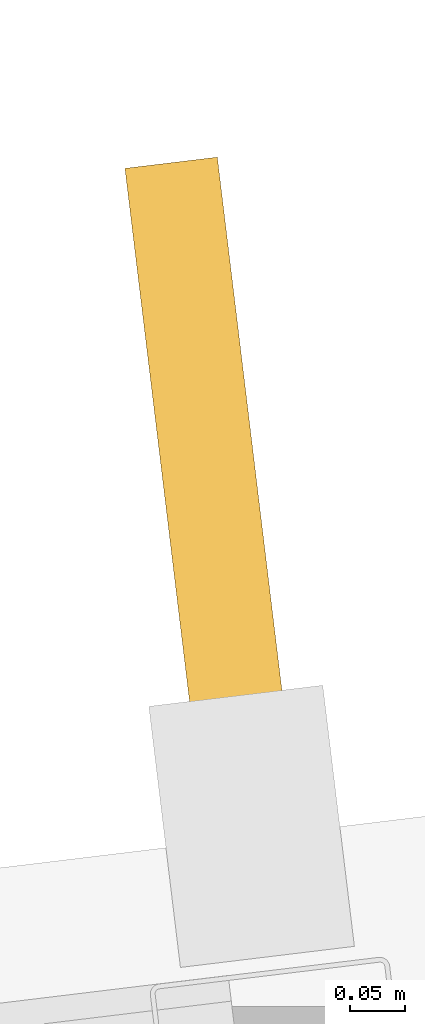
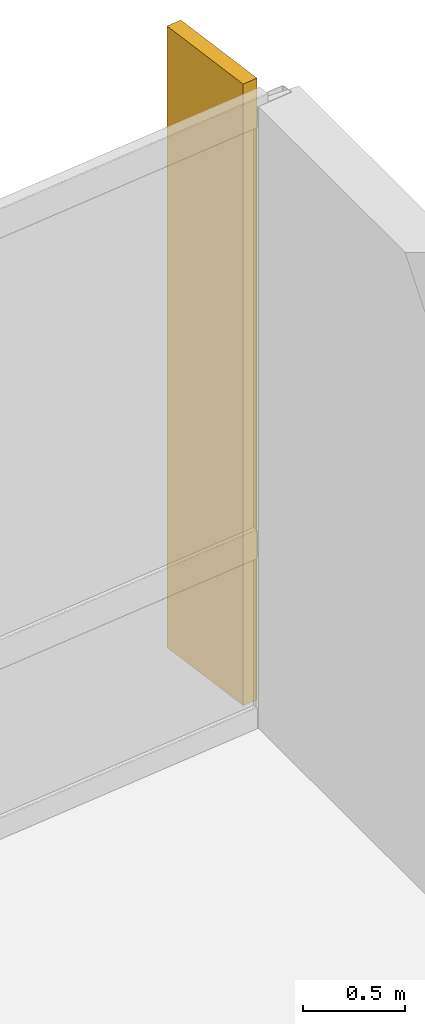
# One storey, part 18 of 18: 1 shading device.
"""IFC4 building model written with IfcOpenShell, lengths in metres."""

from ifc_helpers import new_model, si_unit, direction, frame, origin, origin_2d, place, context, subcontext, project, spatial, rectangle, extrude, material, layer, layer_set, type_object, element, save


model = new_model("IFC4")

# Units and contexts
model_context = context("Model", 3, precision=1e-05, world=origin(), true_north=direction((0.0, 1.0)))
body_context = subcontext(model_context, "Body", "Model", "MODEL_VIEW")
ifc_project = project(units=[si_unit("LENGTHUNIT", "METRE"), si_unit("AREAUNIT", "SQUARE_METRE"), si_unit("VOLUMEUNIT", "CUBIC_METRE"), si_unit("PLANEANGLEUNIT", "RADIAN"), si_unit("MASSUNIT", "GRAM", prefix="KILO")], contexts=[model_context])

# Site, building, storey
site_placement = place(None, origin())
site = spatial("IfcSite", under=ifc_project, at=site_placement, CompositionType="ELEMENT")
building_placement = place(site_placement, origin())
building = spatial("IfcBuilding", under=site, at=building_placement, Name="Varnakote Quay Hospital", CompositionType="ELEMENT")
storey_placement = place(building_placement, frame((0.0, 0.0, 138.89990234375)))
storey = spatial("IfcBuildingStorey", under=building, at=storey_placement, Name="L34", CompositionType="ELEMENT", Elevation=138.89990234375)

# Shading device
ifc_material = material(Name="Anodised aluminium 6063-T6 Bronze", Category="aluminium")
ifc_layer = layer(ifc_material, 0.0849609375)
ifc_layer_set = layer_set([ifc_layer], Name="Anodised aluminium 6063-T6 Bronze")
shading_device_type = type_object("IfcShadingDeviceType", Name="SHD-BRONZE-FIN-620", PredefinedType="USERDEFINED", material=ifc_layer_set)
shading_device_placement = place(storey_placement, frame((53.9462890625, 33.381591796875, 0.0), z_axis=(0.0, 0.0, 1.0), x_axis=(0.120310105847, -0.992736358975, 0.0)))
element("IfcShadingDevice", 1, at=shading_device_placement, inside=storey, type_object=shading_device_type, Name="L34 Anodised Bronze Vertical Shading FIN", ObjectType="FIN", PredefinedType="USERDEFINED", context=body_context, shape_type="SweptSolid", body=[
    extrude(rectangle(XDim=0.6201171875, YDim=0.0849609375, at=origin_2d()), origin(), (0.0, 0.0, 1.0), 3.7099609375),
])

save(model, "model.ifc")
